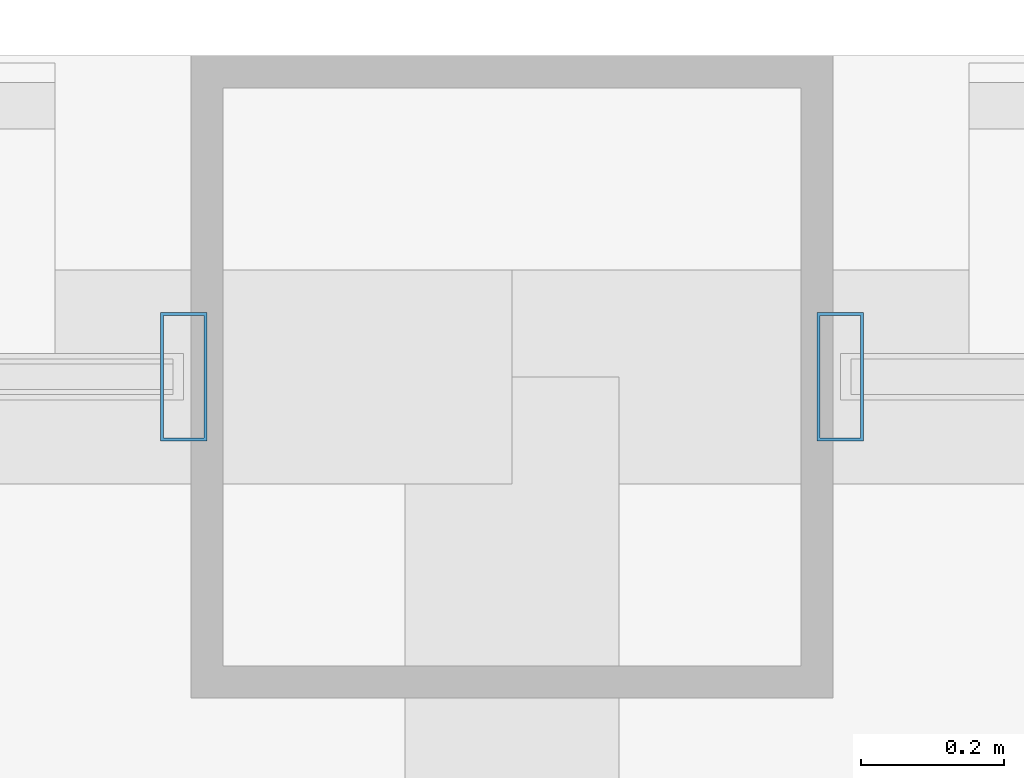
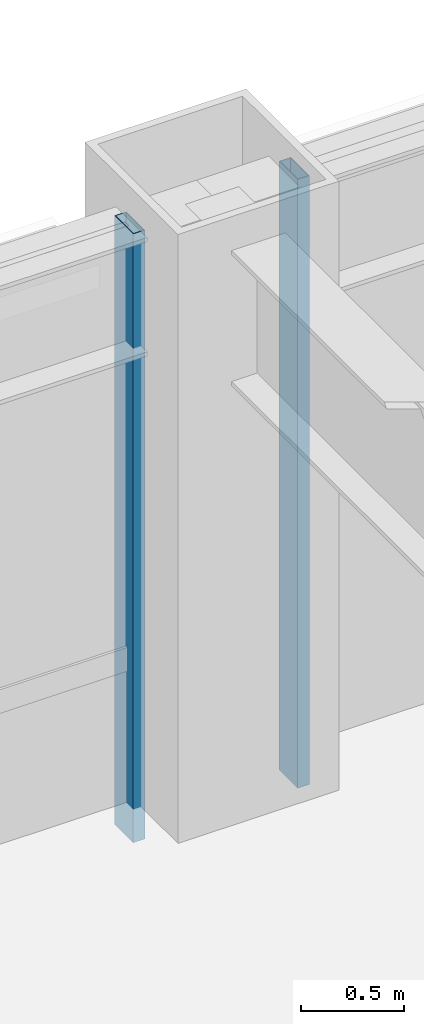
# One storey, part 17 of 29: 2 members, 2 elements without a shape of their own.
"""IFC4 building model written with IfcOpenShell, lengths in metres."""

from ifc_helpers import new_model, si_unit, direction, frame, origin, origin_2d, place, context, subcontext, project, spatial, hollow_rectangle, extrude, material, layer, layer_set, material_profile, profile_set, type_object, element, aggregate, save


model = new_model("IFC4")

# Units and contexts
model_context = context("Model", 3, precision=1e-05, world=origin(), true_north=direction((0.0, 1.0)))
body_context = subcontext(model_context, "Body", "Model", "MODEL_VIEW")
ifc_project = project(units=[si_unit("LENGTHUNIT", "METRE"), si_unit("AREAUNIT", "SQUARE_METRE"), si_unit("VOLUMEUNIT", "CUBIC_METRE"), si_unit("PLANEANGLEUNIT", "RADIAN"), si_unit("MASSUNIT", "GRAM", prefix="KILO")], contexts=[model_context])

# Site, building, storey
site_placement = place(None, origin())
site = spatial("IfcSite", under=ifc_project, at=site_placement, CompositionType="ELEMENT")
building_placement = place(site_placement, origin())
building = spatial("IfcBuilding", under=site, at=building_placement, Name="Brelmoor Portico Tower", CompositionType="ELEMENT")
storey_placement = place(building_placement, frame((0.0, 0.0, 63.60009765625)))
storey = spatial("IfcBuildingStorey", under=building, at=storey_placement, Name="L16", CompositionType="ELEMENT", Elevation=63.60009765625)

# Curtain wall, member
ifc_material = material(Name="Anodised Aluminium Alloy 6063-T6", Category="aluminium")
ifc_layer_1 = layer(ifc_material, 0.179931640625)
ifc_layer_set_1 = layer_set([ifc_layer_1], Name="Anodised Aluminium Alloy 6063-T6")
curtain_wall_type_1 = type_object("IfcCurtainWallType", Name="CW-TOWER-Z1", PredefinedType="NOTDEFINED", material=ifc_layer_set_1)
curtain_wall_1_placement = place(storey_placement, origin())
curtain_wall_1 = element("IfcCurtainWall", 1, at=curtain_wall_1_placement, inside=storey, type_object=curtain_wall_type_1, Name="L16 Curtain Wall CW-L16-02-2", PredefinedType="NOTDEFINED")
ifc_material_profile = material_profile(ifc_material, hollow_rectangle(XDim=0.06494140625, YDim=0.179931640625, WallThickness=0.00390625, at=origin_2d()), Name="ALU MULLION 65x180")
ifc_profile_set = profile_set([ifc_material_profile], Name="Anodised Aluminium Alloy 6063-T6")
member_type = type_object("IfcMemberType", Name="MB-CW-MULL-180", PredefinedType="MULLION", material=ifc_profile_set)
member_1_placement = place(storey_placement, frame((-8.510009765625, 21.550048828125, -0.2001953125), z_axis=(0.0, 0.0, 1.0), x_axis=(1.0, 0.0, 0.0)))
member_1 = element("IfcMember", 2, at=member_1_placement, type_object=member_type, Name="CW-L16-02-2 Mullion 01", PredefinedType="MULLION", context=body_context, shape_type="SweptSolid", body=[
    extrude(hollow_rectangle(XDim=0.06494140625, YDim=0.179931640625, WallThickness=0.00390625, at=origin_2d()), origin(), (0.0, 0.0, 1.0), 3.60009765625),
])
aggregate(curtain_wall_1, [member_1])

ifc_layer_2 = layer(ifc_material, 0.179931640625)
ifc_layer_set_2 = layer_set([ifc_layer_2], Name="Anodised Aluminium Alloy 6063-T6")
curtain_wall_type_2 = type_object("IfcCurtainWallType", Name="CW-TOWER-Z1-XB", PredefinedType="NOTDEFINED", material=ifc_layer_set_2)
curtain_wall_2_placement = place(storey_placement, origin())
curtain_wall_2 = element("IfcCurtainWall", 3, at=curtain_wall_2_placement, inside=storey, type_object=curtain_wall_type_2, Name="L16 Curtain Wall CW-L16-02-3", PredefinedType="NOTDEFINED")
member_2_placement = place(storey_placement, frame((-7.590087890625, 21.550048828125, -0.2001953125), z_axis=(0.0, 0.0, 1.0), x_axis=(1.0, 0.0, 0.0)))
member_2 = element("IfcMember", 4, at=member_2_placement, type_object=member_type, Name="CW-L16-02-3 Mullion 00", PredefinedType="MULLION", context=body_context, shape_type="SweptSolid", body=[
    extrude(hollow_rectangle(XDim=0.06494140625, YDim=0.179931640625, WallThickness=0.00390625, at=origin_2d()), origin(), (0.0, 0.0, 1.0), 3.60009765625),
])
aggregate(curtain_wall_2, [member_2])

save(model, "model.ifc")
